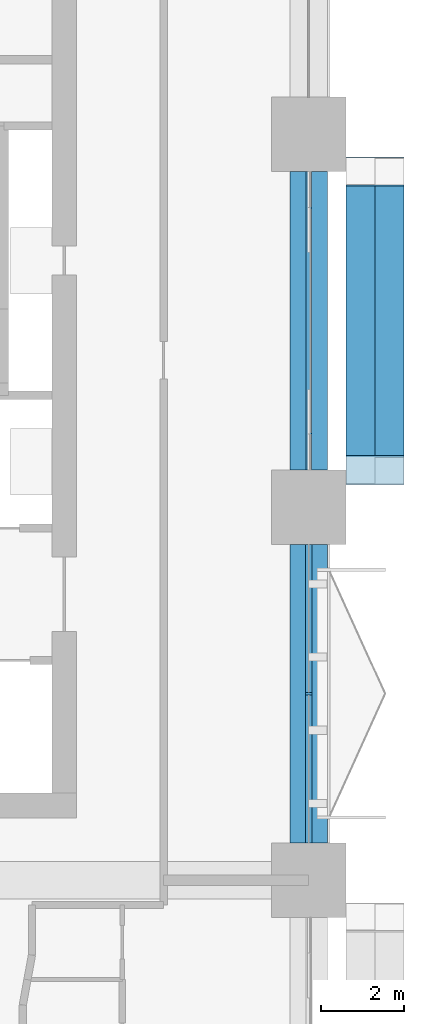
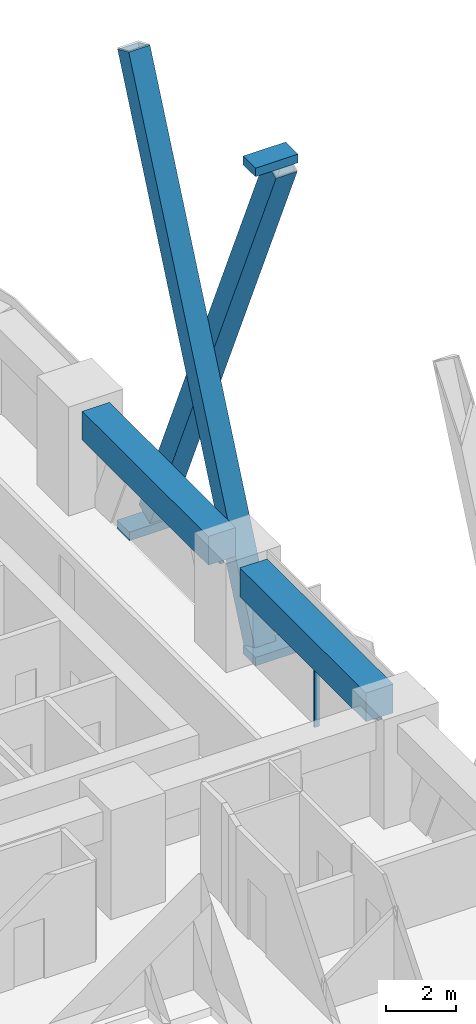
# One storey, part 9 of 24: 8 members, 2 beams, 2 elements without a shape of their own.
"""IFC4 building model written with IfcOpenShell, lengths in metres."""

from ifc_helpers import new_model, si_unit, direction, frame, origin, origin_2d, place, context, subcontext, project, spatial, rectangle, hollow_rectangle, extrude, material, layer, layer_set, material_profile, profile_set, type_object, element, aggregate, save


model = new_model("IFC4")

# Units and contexts
model_context = context("Model", 3, precision=1e-05, world=origin(), true_north=direction((0.0, 1.0)))
body_context = subcontext(model_context, "Body", "Model", "MODEL_VIEW")
ifc_project = project(units=[si_unit("LENGTHUNIT", "METRE"), si_unit("AREAUNIT", "SQUARE_METRE"), si_unit("VOLUMEUNIT", "CUBIC_METRE"), si_unit("PLANEANGLEUNIT", "RADIAN"), si_unit("MASSUNIT", "GRAM", prefix="KILO")], contexts=[model_context])

# Site, building, storey
site_placement = place(None, origin())
site = spatial("IfcSite", under=ifc_project, at=site_placement, CompositionType="ELEMENT")
building_placement = place(site_placement, origin())
building = spatial("IfcBuilding", under=site, at=building_placement, Name="Tessera Arch", CompositionType="ELEMENT")
storey_placement = place(building_placement, frame((0.0, 0.0, 61.39990234375)))
storey = spatial("IfcBuildingStorey", under=building, at=storey_placement, Name="L13", CompositionType="ELEMENT", Elevation=61.39990234375)

# Members
ifc_material_1 = material(Name="Steel A572 Gr50", Category="steel")
ifc_material_profile_1 = material_profile(ifc_material_1, hollow_rectangle(XDim=0.699951171875, YDim=0.699951171875, WallThickness=0.050048828125, at=origin_2d()), Name="BOX 700x700x50")
ifc_profile_set_1 = profile_set([ifc_material_profile_1], Name="Steel A572 Gr50")
member_type_1 = type_object("IfcMemberType", Name="Brace BOX 700x700x50 Steel A572 Gr50", PredefinedType="BRACE", material=ifc_profile_set_1)
for number, where, z_axis, x_axis, name in (
    (1, (55.25, 36.89990234375, -0.7998046875), (0.0, 0.402001211434, 0.915639135252), (-1.0, 0.0, 0.0), "Brace E54.0-4 A L13-L16"),
    (2, (55.949951171875, 44.10009765625, -0.7998046875), (0.0, -0.402001211434, 0.915639135252), (1.0, 0.0, 0.0), "Brace E54.0-4 B L13-L16"),
):
    element("IfcMember", number, at=place(storey_placement, frame(where, z_axis=z_axis, x_axis=x_axis)), inside=storey, type_object=member_type_1, Name=name, PredefinedType="BRACE", context=body_context, shape_type="SweptSolid", body=[
        extrude(hollow_rectangle(XDim=0.699951171875, YDim=0.699951171875, WallThickness=0.050048828125, at=origin_2d()), origin(), (0.0, 0.0, 1.0), 17.910888671875),
    ])

# Curtain wall, members
ifc_material_2 = material(Name="CW1 curtain wall")
curtain_wall_type_1 = type_object("IfcCurtainWallType", Name="CW1 curtain wall", PredefinedType="NOTDEFINED", material=ifc_material_2)
curtain_wall_1_placement = place(storey_placement, origin())
curtain_wall_1 = element("IfcCurtainWall", 3, at=curtain_wall_1_placement, inside=storey, type_object=curtain_wall_type_1, Name="CW1 curtain wall E54.0/3 L13", PredefinedType="NOTDEFINED")
ifc_material_3 = material(Name="Anodised aluminium pale metal", Category="aluminium")
ifc_material_profile_2 = material_profile(ifc_material_3, rectangle(XDim=0.159912109375, YDim=0.06005859375, at=origin_2d()), Name="AL 60x160")
ifc_profile_set_2 = profile_set([ifc_material_profile_2], Name="Anodised aluminium pale metal")
member_type_2 = type_object("IfcMemberType", Name="CW1 mullion", PredefinedType="MULLION", material=ifc_profile_set_2)
member_1_placement = place(storey_placement, frame((54.0, 31.5, 0.0), z_axis=(0.0, 0.0, 1.0), x_axis=(-1.0, 0.0, 0.0)))
member_1 = element("IfcMember", 4, at=member_1_placement, type_object=member_type_2, Name="CW1 mullion E54.0/3 1", PredefinedType="MULLION", context=body_context, shape_type="SweptSolid", body=[
    extrude(rectangle(XDim=0.159912109375, YDim=0.06005859375, at=origin_2d()), origin(), (0.0, 0.0, 1.0), 2.400146484375),
])
ifc_material_4 = material(Name="Anodised aluminium pale metal", Category="aluminium")
ifc_material_profile_3 = material_profile(ifc_material_4, rectangle(XDim=0.159912109375, YDim=0.10009765625, at=origin_2d()), Name="AL 160x100")
ifc_profile_set_3 = profile_set([ifc_material_profile_3], Name="Anodised aluminium pale metal")
member_type_3 = type_object("IfcMemberType", Name="CW1 transom", PredefinedType="USERDEFINED", material=ifc_profile_set_3)
member_2_placement = place(storey_placement, frame((54.0, 27.89990234375, 2.4501953125), z_axis=(0.0, 1.0, 0.0), x_axis=(-1.0, 0.0, 0.0)))
member_2 = element("IfcMember", 5, at=member_2_placement, type_object=member_type_3, Name="CW1 transom E54.0/3 1.1", ObjectType="TRANSOM", PredefinedType="USERDEFINED", context=body_context, shape_type="SweptSolid", body=[
    extrude(rectangle(XDim=0.159912109375, YDim=0.10009765625, at=origin_2d()), origin(), (0.0, 0.0, 1.0), 7.2001953125),
])
aggregate(curtain_wall_1, [member_1, member_2])

# Curtain wall, member
ifc_material_5 = material(Name="CW3 curtain wall")
curtain_wall_type_2 = type_object("IfcCurtainWallType", Name="CW3 curtain wall", PredefinedType="NOTDEFINED", material=ifc_material_5)
curtain_wall_2_placement = place(storey_placement, origin())
curtain_wall_2 = element("IfcCurtainWall", 6, at=curtain_wall_2_placement, inside=storey, type_object=curtain_wall_type_2, Name="CW3 curtain wall E54.0/4 L13", PredefinedType="NOTDEFINED")
ifc_material_6 = material(Name="Anodised aluminium pale metal", Category="aluminium")
ifc_material_profile_4 = material_profile(ifc_material_6, rectangle(XDim=0.139892578125, YDim=0.10009765625, at=origin_2d()), Name="AL 140x100")
ifc_profile_set_4 = profile_set([ifc_material_profile_4], Name="Anodised aluminium pale metal")
member_type_4 = type_object("IfcMemberType", Name="CW3 transom", PredefinedType="USERDEFINED", material=ifc_profile_set_4)
member_3_placement = place(storey_placement, frame((54.0, 36.89990234375, 2.4501953125), z_axis=(0.0, 1.0, 0.0), x_axis=(-1.0, 0.0, 0.0)))
member_3 = element("IfcMember", 7, at=member_3_placement, type_object=member_type_4, Name="CW3 transom E54.0/4 1.1", ObjectType="TRANSOM", PredefinedType="USERDEFINED", context=body_context, shape_type="SweptSolid", body=[
    extrude(rectangle(XDim=0.139892578125, YDim=0.10009765625, at=origin_2d()), origin(), (0.0, 0.0, 1.0), 7.2001953125),
])
aggregate(curtain_wall_2, [member_3])

# Members
ifc_material_7 = material(Name="Steel A572 Gr50", Category="steel")
ifc_layer = layer(ifc_material_7, 0.050048828125)
ifc_layer_set = layer_set([ifc_layer], Name="Node block Steel A572 Gr50")
member_type_5 = type_object("IfcMemberType", Name="Node block Steel A572 Gr50", PredefinedType="PLATE", material=ifc_layer_set)
for number, where, z_axis, x_axis, name in (
    (8, (55.60009765625, 44.10009765625, -1.27734375), (0.0, 0.0, 1.0), (0.0, 1.0, 0.0), "Node block seat E54.0-4 1 L13"),
    (9, (55.60009765625, 36.89990234375, -1.27734375), (0.0, 0.0, 1.0), (0.0, 1.0, 0.0), "Node block seat E54.0-4 2 L13"),
    (10, (55.60009765625, 36.89990234375, 15.77734375), (0.0, 0.0, 1.0), (0.0, 1.0, 0.0), "Node block head E54.0-4 B L13"),
):
    element("IfcMember", number, at=place(storey_placement, frame(where, z_axis=z_axis, x_axis=x_axis)), inside=storey, type_object=member_type_5, Name=name, PredefinedType="PLATE", context=body_context, shape_type="SweptSolid", body=[
        extrude(rectangle(XDim=0.699951171875, YDim=1.39990234375, at=origin_2d()), origin(), (0.0, 0.0, 1.0), 0.300048828125),
    ])

# Beams
ifc_material_8 = material(Name="Concrete C80/95", Category="concrete")
ifc_material_profile_5 = material_profile(ifc_material_8, rectangle(XDim=0.89990234375, YDim=1.0, at=origin_2d()), Name="RC spandrel beam 900 x 1000 Concrete C80/95")
ifc_profile_set_5 = profile_set([ifc_material_profile_5], Name="Concrete C80/95")
beam_type = type_object("IfcBeamType", Name="RC spandrel beam 900 x 1000 Concrete C80/95", PredefinedType="BEAM", material=ifc_profile_set_5)
for number, where, z_axis, x_axis, name in (
    (11, (54.0, 27.89990234375, 3.0), (0.0, 1.0, 0.0), (-1.0, 0.0, 0.0), "Spandrel beam L13 E54.0/3"),
    (12, (54.0, 36.89990234375, 3.0), (0.0, 1.0, 0.0), (-1.0, 0.0, 0.0), "Spandrel beam L13 E54.0/4"),
):
    element("IfcBeam", number, at=place(storey_placement, frame(where, z_axis=z_axis, x_axis=x_axis)), inside=storey, type_object=beam_type, Name=name, PredefinedType="BEAM", context=body_context, shape_type="SweptSolid", body=[
        extrude(rectangle(XDim=0.89990234375, YDim=1.0, at=origin_2d()), origin(), (0.0, 0.0, 1.0), 7.2001953125),
    ])

save(model, "model.ifc")
